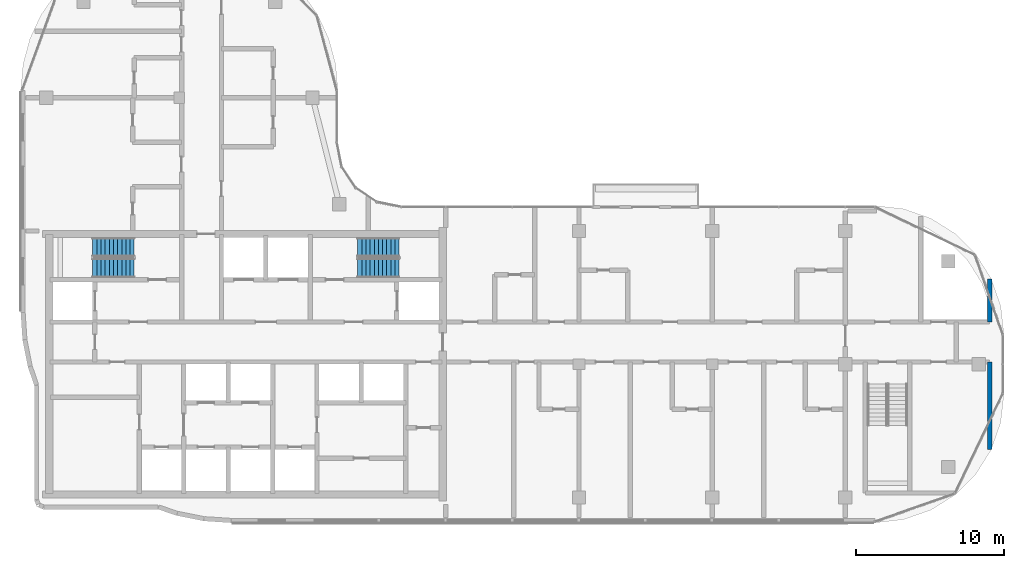
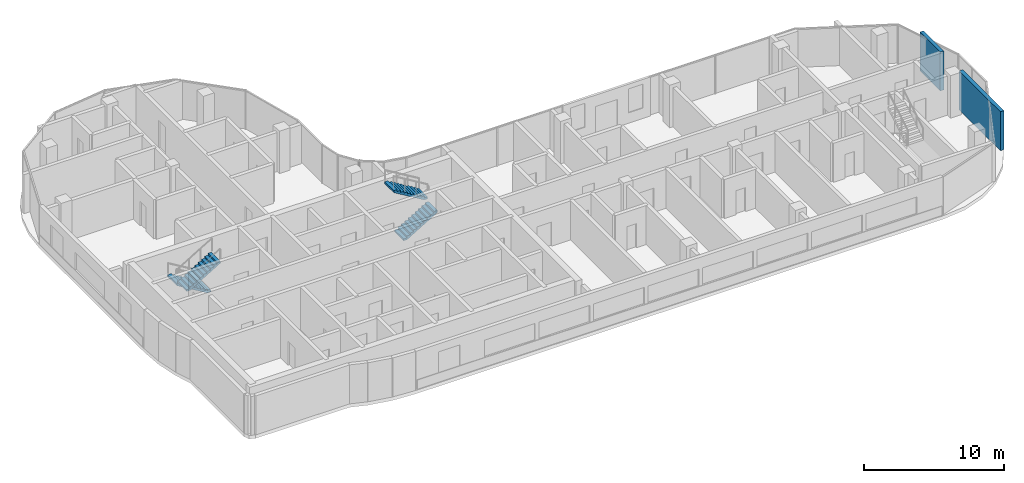
# One storey, part 14 of 19: 4 stair flights, 2 walls, 2 elements without a shape of their own.
"""IFC4 building model written with IfcOpenShell, lengths in metres."""

from ifc_helpers import new_model, si_unit, direction, frame, frame_2d, origin, place, context, subcontext, project, spatial, rectangle, extrude, triangles, source, transform, mapped, material, layer, layer_set, type_object, element, aggregate, save


model = new_model("IFC4")

# Units and contexts
model_context = context("Model", 3, precision=1e-05, world=origin(), true_north=direction((0.0, 1.0)))
body_context = subcontext(model_context, "Body", "Model", "MODEL_VIEW")
ifc_project = project(units=[si_unit("LENGTHUNIT", "METRE"), si_unit("AREAUNIT", "SQUARE_METRE"), si_unit("VOLUMEUNIT", "CUBIC_METRE"), si_unit("PLANEANGLEUNIT", "RADIAN"), si_unit("MASSUNIT", "GRAM", prefix="KILO")], contexts=[model_context])

# Site, building, storey
site_placement = place(None, origin())
site = spatial("IfcSite", under=ifc_project, at=site_placement, CompositionType="ELEMENT")
building_placement = place(site_placement, origin())
building = spatial("IfcBuilding", under=site, at=building_placement, Name="Ogive Portal Towers", CompositionType="ELEMENT")
storey_placement = place(building_placement, frame((0.0, 0.0, 199.5)))
storey = spatial("IfcBuildingStorey", under=building, at=storey_placement, Name="L49", CompositionType="ELEMENT", Elevation=199.5)

# Walls
ifc_material_1 = material(Name="Gypsum board partition on steel studs", Category="steel")
ifc_layer = layer(ifc_material_1, 0.300048828125)
ifc_layer_set = layer_set([ifc_layer], Name="WT-PART-300-EI 60")
wall_type = type_object("IfcWallType", Name="WT-PART-300-EI 60", PredefinedType="PARTITIONING", material=ifc_layer_set)
wall_1_placement = place(storey_placement, frame((95.25, 24.75390625, 0.0), z_axis=(0.0, 0.0, 1.0), x_axis=(0.0, 1.0, 0.0)))
element("IfcWall", 1, at=wall_1_placement, inside=storey, type_object=wall_type, Name="Wall L49:w054", PredefinedType="PARTITIONING", context=body_context, shape_type="SweptSolid", body=[
    extrude(rectangle(XDim=5.89599609375, YDim=0.300048828125, at=frame_2d((2.947998046875, 0.0))), origin(), (0.0, 0.0, 1.0), 3.39990234375),
])
wall_2_placement = place(storey_placement, frame((95.25, 33.35009765625, 0.0), z_axis=(0.0, 0.0, 1.0), x_axis=(0.0, 1.0, 0.0)))
element("IfcWall", 2, at=wall_2_placement, inside=storey, type_object=wall_type, Name="Wall L49:w055", PredefinedType="PARTITIONING", context=body_context, shape_type="SweptSolid", body=[
    extrude(rectangle(XDim=2.89599609375, YDim=0.300048828125, at=frame_2d((1.447998046875, 0.0))), origin(), (0.0, 0.0, 1.0), 3.39990234375),
])

# Stair, stair flights
ifc_material_2 = material(Name="Concrete C40/50", Category="concrete")
stair_type = type_object("IfcStairType", Name="INT-STAIR", PredefinedType="HALF_TURN_STAIR", material=ifc_material_2)
stair_1_placement = place(storey_placement, origin())
stair_1 = element("IfcStair", 3, at=stair_1_placement, inside=storey, type_object=stair_type, Name="L49 Exit Stair ST-A1", PredefinedType="HALF_TURN_STAIR")
stair_flight_type = type_object("IfcStairFlightType", Name="INT-FLIGHT", PredefinedType="STRAIGHT", material=ifc_material_2)
shared_shape = source(origin(), body_context, "Body", "Tessellation", [
    triangles([(0.0, -0.650146484375, 0.0), (0.0, -0.376220703125, 0.0), (0.0, -0.192626953125, 0.0), (0.0, -0.081298828125, 0.0), (0.0, -0.024169921875, 0.0), (0.0, -0.003173828125, 0.0), (0.0, 0.0, 0.0), (0.0, 0.0029296875, 0.0), (0.0, 0.02392578125, 0.0), (0.0, 0.0810546875, 0.0), (0.0, 0.1923828125, 0.0), (0.0, 0.3759765625, 0.0), (0.0, 0.64990234375, 0.0), (0.0, -0.650146484375, 0.168212890625), (0.0, -0.376220703125, 0.168212890625), (0.0, -0.192626953125, 0.168212890625), (0.0, -0.081298828125, 0.168212890625), (0.0, -0.024169921875, 0.168212890625), (0.0, -0.003173828125, 0.168212890625), (0.0, 0.0, 0.168212890625), (0.0, 0.0029296875, 0.168212890625), (0.0, 0.02392578125, 0.168212890625), (0.0, 0.0810546875, 0.168212890625), (0.0, 0.1923828125, 0.168212890625), (0.0, 0.3759765625, 0.168212890625), (0.0, 0.64990234375, 0.168212890625), (0.280029296875, -0.650146484375, 0.168212890625), (0.280029296875, -0.376220703125, 0.168212890625), (0.280029296875, -0.192626953125, 0.168212890625), (0.280029296875, -0.081298828125, 0.168212890625), (0.280029296875, -0.024169921875, 0.168212890625), (0.280029296875, -0.003173828125, 0.168212890625), (0.280029296875, 0.0, 0.168212890625), (0.280029296875, 0.0029296875, 0.168212890625), (0.280029296875, 0.02392578125, 0.168212890625), (0.280029296875, 0.0810546875, 0.168212890625), (0.280029296875, 0.1923828125, 0.168212890625), (0.280029296875, 0.3759765625, 0.168212890625), (0.280029296875, 0.64990234375, 0.168212890625), (0.280029296875, -0.650146484375, 0.33642578125), (0.280029296875, -0.376220703125, 0.33642578125), (0.280029296875, -0.192626953125, 0.33642578125), (0.280029296875, -0.081298828125, 0.33642578125), (0.280029296875, -0.024169921875, 0.33642578125), (0.280029296875, -0.003173828125, 0.33642578125), (0.280029296875, 0.0, 0.33642578125), (0.280029296875, 0.0029296875, 0.33642578125), (0.280029296875, 0.02392578125, 0.33642578125), (0.280029296875, 0.0810546875, 0.33642578125), (0.280029296875, 0.1923828125, 0.33642578125), (0.280029296875, 0.3759765625, 0.33642578125), (0.280029296875, 0.64990234375, 0.33642578125), (0.56005859375, -0.650146484375, 0.33642578125), (0.56005859375, -0.376220703125, 0.33642578125), (0.56005859375, -0.192626953125, 0.33642578125), (0.56005859375, -0.081298828125, 0.33642578125), (0.56005859375, -0.024169921875, 0.33642578125), (0.56005859375, -0.003173828125, 0.33642578125), (0.56005859375, 0.0, 0.33642578125), (0.56005859375, 0.0029296875, 0.33642578125), (0.56005859375, 0.02392578125, 0.33642578125), (0.56005859375, 0.0810546875, 0.33642578125), (0.56005859375, 0.1923828125, 0.33642578125), (0.56005859375, 0.3759765625, 0.33642578125), (0.56005859375, 0.64990234375, 0.33642578125), (0.56005859375, -0.650146484375, 0.504638671875), (0.56005859375, -0.376220703125, 0.504638671875), (0.56005859375, -0.192626953125, 0.504638671875), (0.56005859375, -0.081298828125, 0.504638671875), (0.56005859375, -0.024169921875, 0.504638671875), (0.56005859375, -0.003173828125, 0.504638671875), (0.56005859375, 0.0, 0.504638671875), (0.56005859375, 0.0029296875, 0.504638671875), (0.56005859375, 0.02392578125, 0.504638671875), (0.56005859375, 0.0810546875, 0.504638671875), (0.56005859375, 0.1923828125, 0.504638671875), (0.56005859375, 0.3759765625, 0.504638671875), (0.56005859375, 0.64990234375, 0.504638671875), (0.840087890625, -0.650146484375, 0.504638671875), (0.840087890625, -0.376220703125, 0.504638671875), (0.840087890625, -0.192626953125, 0.504638671875), (0.840087890625, -0.081298828125, 0.504638671875), (0.840087890625, -0.024169921875, 0.504638671875), (0.840087890625, -0.003173828125, 0.504638671875), (0.840087890625, 0.0, 0.504638671875), (0.840087890625, 0.0029296875, 0.504638671875), (0.840087890625, 0.02392578125, 0.504638671875), (0.840087890625, 0.0810546875, 0.504638671875), (0.840087890625, 0.1923828125, 0.504638671875), (0.840087890625, 0.3759765625, 0.504638671875), (0.840087890625, 0.64990234375, 0.504638671875), (0.840087890625, -0.650146484375, 0.672607421875), (0.840087890625, -0.376220703125, 0.672607421875), (0.840087890625, -0.192626953125, 0.672607421875), (0.840087890625, -0.081298828125, 0.672607421875), (0.840087890625, -0.024169921875, 0.672607421875), (0.840087890625, -0.003173828125, 0.672607421875), (0.840087890625, 0.0, 0.672607421875), (0.840087890625, 0.0029296875, 0.672607421875), (0.840087890625, 0.02392578125, 0.672607421875), (0.840087890625, 0.0810546875, 0.672607421875), (0.840087890625, 0.1923828125, 0.672607421875), (0.840087890625, 0.3759765625, 0.672607421875), (0.840087890625, 0.64990234375, 0.672607421875), (1.1201171875, -0.650146484375, 0.672607421875), (1.1201171875, -0.376220703125, 0.672607421875), (1.1201171875, -0.192626953125, 0.672607421875), (1.1201171875, -0.081298828125, 0.672607421875), (1.1201171875, -0.024169921875, 0.672607421875), (1.1201171875, -0.003173828125, 0.672607421875), (1.1201171875, 0.0, 0.672607421875), (1.1201171875, 0.0029296875, 0.672607421875), (1.1201171875, 0.02392578125, 0.672607421875), (1.1201171875, 0.0810546875, 0.672607421875), (1.1201171875, 0.1923828125, 0.672607421875), (1.1201171875, 0.3759765625, 0.672607421875), (1.1201171875, 0.64990234375, 0.672607421875), (1.1201171875, -0.650146484375, 0.8408203125), (1.1201171875, -0.376220703125, 0.8408203125), (1.1201171875, -0.192626953125, 0.8408203125), (1.1201171875, -0.081298828125, 0.8408203125), (1.1201171875, -0.024169921875, 0.8408203125), (1.1201171875, -0.003173828125, 0.8408203125), (1.1201171875, 0.0, 0.8408203125), (1.1201171875, 0.0029296875, 0.8408203125), (1.1201171875, 0.02392578125, 0.8408203125), (1.1201171875, 0.0810546875, 0.8408203125), (1.1201171875, 0.1923828125, 0.8408203125), (1.1201171875, 0.3759765625, 0.8408203125), (1.1201171875, 0.64990234375, 0.8408203125), (1.39990234375, -0.650146484375, 0.8408203125), (1.39990234375, -0.376220703125, 0.8408203125), (1.39990234375, -0.192626953125, 0.8408203125), (1.39990234375, -0.081298828125, 0.8408203125), (1.39990234375, -0.024169921875, 0.8408203125), (1.39990234375, -0.003173828125, 0.8408203125), (1.39990234375, 0.0, 0.8408203125), (1.39990234375, 0.0029296875, 0.8408203125), (1.39990234375, 0.02392578125, 0.8408203125), (1.39990234375, 0.0810546875, 0.8408203125), (1.39990234375, 0.1923828125, 0.8408203125), (1.39990234375, 0.3759765625, 0.8408203125), (1.39990234375, 0.64990234375, 0.8408203125), (1.39990234375, -0.650146484375, 1.009033203125), (1.39990234375, -0.376220703125, 1.009033203125), (1.39990234375, -0.192626953125, 1.009033203125), (1.39990234375, -0.081298828125, 1.009033203125), (1.39990234375, -0.024169921875, 1.009033203125), (1.39990234375, -0.003173828125, 1.009033203125), (1.39990234375, 0.0, 1.009033203125), (1.39990234375, 0.0029296875, 1.009033203125), (1.39990234375, 0.02392578125, 1.009033203125), (1.39990234375, 0.0810546875, 1.009033203125), (1.39990234375, 0.1923828125, 1.009033203125), (1.39990234375, 0.3759765625, 1.009033203125), (1.39990234375, 0.64990234375, 1.009033203125), (1.679931640625, -0.650146484375, 1.009033203125), (1.679931640625, -0.376220703125, 1.009033203125), (1.679931640625, -0.192626953125, 1.009033203125), (1.679931640625, -0.081298828125, 1.009033203125), (1.679931640625, -0.024169921875, 1.009033203125), (1.679931640625, -0.003173828125, 1.009033203125), (1.679931640625, 0.0, 1.009033203125), (1.679931640625, 0.0029296875, 1.009033203125), (1.679931640625, 0.02392578125, 1.009033203125), (1.679931640625, 0.0810546875, 1.009033203125), (1.679931640625, 0.1923828125, 1.009033203125), (1.679931640625, 0.3759765625, 1.009033203125), (1.679931640625, 0.64990234375, 1.009033203125), (1.679931640625, -0.650146484375, 1.17724609375), (1.679931640625, -0.376220703125, 1.17724609375), (1.679931640625, -0.192626953125, 1.17724609375), (1.679931640625, -0.081298828125, 1.17724609375), (1.679931640625, -0.024169921875, 1.17724609375), (1.679931640625, -0.003173828125, 1.17724609375), (1.679931640625, 0.0, 1.17724609375), (1.679931640625, 0.0029296875, 1.17724609375), (1.679931640625, 0.02392578125, 1.17724609375), (1.679931640625, 0.0810546875, 1.17724609375), (1.679931640625, 0.1923828125, 1.17724609375), (1.679931640625, 0.3759765625, 1.17724609375), (1.679931640625, 0.64990234375, 1.17724609375), (1.9599609375, -0.650146484375, 1.17724609375), (1.9599609375, -0.376220703125, 1.17724609375), (1.9599609375, -0.192626953125, 1.17724609375), (1.9599609375, -0.081298828125, 1.17724609375), (1.9599609375, -0.024169921875, 1.17724609375), (1.9599609375, -0.003173828125, 1.17724609375), (1.9599609375, 0.0, 1.17724609375), (1.9599609375, 0.0029296875, 1.17724609375), (1.9599609375, 0.02392578125, 1.17724609375), (1.9599609375, 0.0810546875, 1.17724609375), (1.9599609375, 0.1923828125, 1.17724609375), (1.9599609375, 0.3759765625, 1.17724609375), (1.9599609375, 0.64990234375, 1.17724609375), (1.9599609375, -0.650146484375, 1.345458984375), (1.9599609375, -0.376220703125, 1.345458984375), (1.9599609375, -0.192626953125, 1.345458984375), (1.9599609375, -0.081298828125, 1.345458984375), (1.9599609375, -0.024169921875, 1.345458984375), (1.9599609375, -0.003173828125, 1.345458984375), (1.9599609375, 0.0, 1.345458984375), (1.9599609375, 0.0029296875, 1.345458984375), (1.9599609375, 0.02392578125, 1.345458984375), (1.9599609375, 0.0810546875, 1.345458984375), (1.9599609375, 0.1923828125, 1.345458984375), (1.9599609375, 0.3759765625, 1.345458984375), (1.9599609375, 0.64990234375, 1.345458984375), (2.239990234375, -0.650146484375, 1.345458984375), (2.239990234375, -0.376220703125, 1.345458984375), (2.239990234375, -0.192626953125, 1.345458984375), (2.239990234375, -0.081298828125, 1.345458984375), (2.239990234375, -0.024169921875, 1.345458984375), (2.239990234375, -0.003173828125, 1.345458984375), (2.239990234375, 0.0, 1.345458984375), (2.239990234375, 0.0029296875, 1.345458984375), (2.239990234375, 0.02392578125, 1.345458984375), (2.239990234375, 0.0810546875, 1.345458984375), (2.239990234375, 0.1923828125, 1.345458984375), (2.239990234375, 0.3759765625, 1.345458984375), (2.239990234375, 0.64990234375, 1.345458984375), (2.239990234375, -0.650146484375, 1.513671875), (2.239990234375, -0.376220703125, 1.513671875), (2.239990234375, -0.192626953125, 1.513671875), (2.239990234375, -0.081298828125, 1.513671875), (2.239990234375, -0.024169921875, 1.513671875), (2.239990234375, -0.003173828125, 1.513671875), (2.239990234375, 0.0, 1.513671875), (2.239990234375, 0.0029296875, 1.513671875), (2.239990234375, 0.02392578125, 1.513671875), (2.239990234375, 0.0810546875, 1.513671875), (2.239990234375, 0.1923828125, 1.513671875), (2.239990234375, 0.3759765625, 1.513671875), (2.239990234375, 0.64990234375, 1.513671875), (2.52001953125, -0.650146484375, 1.513671875), (2.52001953125, -0.376220703125, 1.513671875), (2.52001953125, -0.192626953125, 1.513671875), (2.52001953125, -0.081298828125, 1.513671875), (2.52001953125, -0.024169921875, 1.513671875), (2.52001953125, -0.003173828125, 1.513671875), (2.52001953125, 0.0, 1.513671875), (2.52001953125, 0.0029296875, 1.513671875), (2.52001953125, 0.02392578125, 1.513671875), (2.52001953125, 0.0810546875, 1.513671875), (2.52001953125, 0.1923828125, 1.513671875), (2.52001953125, 0.3759765625, 1.513671875), (2.52001953125, 0.64990234375, 1.513671875), (2.52001953125, -0.650146484375, 1.681884765625), (2.52001953125, -0.376220703125, 1.681884765625), (2.52001953125, -0.192626953125, 1.681884765625), (2.52001953125, -0.081298828125, 1.681884765625), (2.52001953125, -0.024169921875, 1.681884765625), (2.52001953125, -0.003173828125, 1.681884765625), (2.52001953125, 0.0, 1.681884765625), (2.52001953125, 0.0029296875, 1.681884765625), (2.52001953125, 0.02392578125, 1.681884765625), (2.52001953125, 0.0810546875, 1.681884765625), (2.52001953125, 0.1923828125, 1.681884765625), (2.52001953125, 0.3759765625, 1.681884765625), (2.52001953125, 0.64990234375, 1.681884765625), (2.800048828125, -0.650146484375, 1.681884765625), (2.800048828125, -0.376220703125, 1.681884765625), (2.800048828125, -0.192626953125, 1.681884765625), (2.800048828125, -0.081298828125, 1.681884765625), (2.800048828125, -0.024169921875, 1.681884765625), (2.800048828125, -0.003173828125, 1.681884765625), (2.800048828125, 0.0, 1.681884765625), (2.800048828125, 0.0029296875, 1.681884765625), (2.800048828125, 0.02392578125, 1.681884765625), (2.800048828125, 0.0810546875, 1.681884765625), (2.800048828125, 0.1923828125, 1.681884765625), (2.800048828125, 0.3759765625, 1.681884765625), (2.800048828125, 0.64990234375, 1.681884765625), (2.800048828125, -0.650146484375, 1.5068359375), (2.800048828125, -0.376220703125, 1.5068359375), (2.800048828125, -0.192626953125, 1.5068359375), (2.800048828125, -0.081298828125, 1.5068359375), (2.800048828125, -0.024169921875, 1.5068359375), (2.800048828125, -0.003173828125, 1.5068359375), (2.800048828125, 0.0, 1.5068359375), (2.800048828125, 0.0029296875, 1.5068359375), (2.800048828125, 0.02392578125, 1.5068359375), (2.800048828125, 0.0810546875, 1.5068359375), (2.800048828125, 0.1923828125, 1.5068359375), (2.800048828125, 0.3759765625, 1.5068359375), (2.800048828125, 0.64990234375, 1.5068359375), (0.291015625, -0.650146484375, 0.0), (0.291015625, -0.376220703125, 0.0), (0.291015625, -0.192626953125, 0.0), (0.291015625, -0.081298828125, 0.0), (0.291015625, -0.024169921875, 0.0), (0.291015625, -0.003173828125, 0.0), (0.291015625, 0.0, 0.0), (0.291015625, 0.0029296875, 0.0), (0.291015625, 0.02392578125, 0.0), (0.291015625, 0.0810546875, 0.0), (0.291015625, 0.1923828125, 0.0), (0.291015625, 0.3759765625, 0.0), (0.291015625, 0.64990234375, 0.0)], [[1, 14, 15], [1, 15, 2], [2, 15, 16], [2, 16, 3], [3, 16, 17], [3, 17, 4], [4, 17, 18], [4, 18, 5], [5, 18, 19], [5, 19, 6], [6, 19, 20], [6, 20, 7], [7, 20, 21], [7, 21, 8], [8, 21, 22], [8, 22, 9], [9, 22, 23], [9, 23, 10], [10, 23, 24], [10, 24, 11], [11, 24, 25], [11, 25, 12], [12, 25, 26], [12, 26, 13], [14, 27, 28], [14, 28, 15], [15, 28, 29], [15, 29, 16], [16, 29, 30], [16, 30, 17], [17, 30, 31], [17, 31, 18], [18, 31, 32], [18, 32, 19], [19, 32, 33], [19, 33, 20], [20, 33, 34], [20, 34, 21], [21, 34, 35], [21, 35, 22], [22, 35, 36], [22, 36, 23], [23, 36, 37], [23, 37, 24], [24, 37, 38], [24, 38, 25], [25, 38, 39], [25, 39, 26], [27, 40, 41], [27, 41, 28], [28, 41, 42], [28, 42, 29], [29, 42, 43], [29, 43, 30], [30, 43, 44], [30, 44, 31], [31, 44, 45], [31, 45, 32], [32, 45, 46], [32, 46, 33], [33, 46, 47], [33, 47, 34], [34, 47, 48], [34, 48, 35], [35, 48, 49], [35, 49, 36], [36, 49, 50], [36, 50, 37], [37, 50, 51], [37, 51, 38], [38, 51, 52], [38, 52, 39], [40, 53, 54], [40, 54, 41], [41, 54, 55], [41, 55, 42], [42, 55, 56], [42, 56, 43], [43, 56, 57], [43, 57, 44], [44, 57, 58], [44, 58, 45], [45, 58, 59], [45, 59, 46], [46, 59, 60], [46, 60, 47], [47, 60, 61], [47, 61, 48], [48, 61, 62], [48, 62, 49], [49, 62, 63], [49, 63, 50], [50, 63, 64], [50, 64, 51], [51, 64, 65], [51, 65, 52], [53, 66, 67], [53, 67, 54], [54, 67, 68], [54, 68, 55], [55, 68, 69], [55, 69, 56], [56, 69, 70], [56, 70, 57], [57, 70, 71], [57, 71, 58], [58, 71, 72], [58, 72, 59], [59, 72, 73], [59, 73, 60], [60, 73, 74], [60, 74, 61], [61, 74, 75], [61, 75, 62], [62, 75, 76], [62, 76, 63], [63, 76, 77], [63, 77, 64], [64, 77, 78], [64, 78, 65], [66, 79, 80], [66, 80, 67], [67, 80, 81], [67, 81, 68], [68, 81, 82], [68, 82, 69], [69, 82, 83], [69, 83, 70], [70, 83, 84], [70, 84, 71], [71, 84, 85], [71, 85, 72], [72, 85, 86], [72, 86, 73], [73, 86, 87], [73, 87, 74], [74, 87, 88], [74, 88, 75], [75, 88, 89], [75, 89, 76], [76, 89, 90], [76, 90, 77], [77, 90, 91], [77, 91, 78], [79, 92, 93], [79, 93, 80], [80, 93, 94], [80, 94, 81], [81, 94, 95], [81, 95, 82], [82, 95, 96], [82, 96, 83], [83, 96, 97], [83, 97, 84], [84, 97, 98], [84, 98, 85], [85, 98, 99], [85, 99, 86], [86, 99, 100], [86, 100, 87], [87, 100, 101], [87, 101, 88], [88, 101, 102], [88, 102, 89], [89, 102, 103], [89, 103, 90], [90, 103, 104], [90, 104, 91], [92, 105, 106], [92, 106, 93], [93, 106, 107], [93, 107, 94], [94, 107, 108], [94, 108, 95], [95, 108, 109], [95, 109, 96], [96, 109, 110], [96, 110, 97], [97, 110, 111], [97, 111, 98], [98, 111, 112], [98, 112, 99], [99, 112, 113], [99, 113, 100], [100, 113, 114], [100, 114, 101], [101, 114, 115], [101, 115, 102], [102, 115, 116], [102, 116, 103], [103, 116, 117], [103, 117, 104], [105, 118, 119], [105, 119, 106], [106, 119, 120], [106, 120, 107], [107, 120, 121], [107, 121, 108], [108, 121, 122], [108, 122, 109], [109, 122, 123], [109, 123, 110], [110, 123, 124], [110, 124, 111], [111, 124, 125], [111, 125, 112], [112, 125, 126], [112, 126, 113], [113, 126, 127], [113, 127, 114], [114, 127, 128], [114, 128, 115], [115, 128, 129], [115, 129, 116], [116, 129, 130], [116, 130, 117], [118, 131, 132], [118, 132, 119], [119, 132, 133], [119, 133, 120], [120, 133, 134], [120, 134, 121], [121, 134, 135], [121, 135, 122], [122, 135, 136], [122, 136, 123], [123, 136, 137], [123, 137, 124], [124, 137, 138], [124, 138, 125], [125, 138, 139], [125, 139, 126], [126, 139, 140], [126, 140, 127], [127, 140, 141], [127, 141, 128], [128, 141, 142], [128, 142, 129], [129, 142, 143], [129, 143, 130], [131, 144, 145], [131, 145, 132], [132, 145, 146], [132, 146, 133], [133, 146, 147], [133, 147, 134], [134, 147, 148], [134, 148, 135], [135, 148, 149], [135, 149, 136], [136, 149, 150], [136, 150, 137], [137, 150, 151], [137, 151, 138], [138, 151, 152], [138, 152, 139], [139, 152, 153], [139, 153, 140], [140, 153, 154], [140, 154, 141], [141, 154, 155], [141, 155, 142], [142, 155, 156], [142, 156, 143], [144, 157, 158], [144, 158, 145], [145, 158, 159], [145, 159, 146], [146, 159, 160], [146, 160, 147], [147, 160, 161], [147, 161, 148], [148, 161, 162], [148, 162, 149], [149, 162, 163], [149, 163, 150], [150, 163, 164], [150, 164, 151], [151, 164, 165], [151, 165, 152], [152, 165, 166], [152, 166, 153], [153, 166, 167], [153, 167, 154], [154, 167, 168], [154, 168, 155], [155, 168, 169], [155, 169, 156], [157, 170, 171], [157, 171, 158], [158, 171, 172], [158, 172, 159], [159, 172, 173], [159, 173, 160], [160, 173, 174], [160, 174, 161], [161, 174, 175], [161, 175, 162], [162, 175, 176], [162, 176, 163], [163, 176, 177], [163, 177, 164], [164, 177, 178], [164, 178, 165], [165, 178, 179], [165, 179, 166], [166, 179, 180], [166, 180, 167], [167, 180, 181], [167, 181, 168], [168, 181, 182], [168, 182, 169], [170, 183, 184], [170, 184, 171], [171, 184, 185], [171, 185, 172], [172, 185, 186], [172, 186, 173], [173, 186, 187], [173, 187, 174], [174, 187, 188], [174, 188, 175], [175, 188, 189], [175, 189, 176], [176, 189, 190], [176, 190, 177], [177, 190, 191], [177, 191, 178], [178, 191, 192], [178, 192, 179], [179, 192, 193], [179, 193, 180], [180, 193, 194], [180, 194, 181], [181, 194, 195], [181, 195, 182], [183, 196, 197], [183, 197, 184], [184, 197, 198], [184, 198, 185], [185, 198, 199], [185, 199, 186], [186, 199, 200], [186, 200, 187], [187, 200, 201], [187, 201, 188], [188, 201, 202], [188, 202, 189], [189, 202, 203], [189, 203, 190], [190, 203, 204], [190, 204, 191], [191, 204, 205], [191, 205, 192], [192, 205, 206], [192, 206, 193], [193, 206, 207], [193, 207, 194], [194, 207, 208], [194, 208, 195], [196, 209, 210], [196, 210, 197], [197, 210, 211], [197, 211, 198], [198, 211, 212], [198, 212, 199], [199, 212, 213], [199, 213, 200], [200, 213, 214], [200, 214, 201], [201, 214, 215], [201, 215, 202], [202, 215, 216], [202, 216, 203], [203, 216, 217], [203, 217, 204], [204, 217, 218], [204, 218, 205], [205, 218, 219], [205, 219, 206], [206, 219, 220], [206, 220, 207], [207, 220, 221], [207, 221, 208], [209, 222, 223], [209, 223, 210], [210, 223, 224], [210, 224, 211], [211, 224, 225], [211, 225, 212], [212, 225, 226], [212, 226, 213], [213, 226, 227], [213, 227, 214], [214, 227, 228], [214, 228, 215], [215, 228, 229], [215, 229, 216], [216, 229, 230], [216, 230, 217], [217, 230, 231], [217, 231, 218], [218, 231, 232], [218, 232, 219], [219, 232, 233], [219, 233, 220], [220, 233, 234], [220, 234, 221], [222, 235, 236], [222, 236, 223], [223, 236, 237], [223, 237, 224], [224, 237, 238], [224, 238, 225], [225, 238, 239], [225, 239, 226], [226, 239, 240], [226, 240, 227], [227, 240, 241], [227, 241, 228], [228, 241, 242], [228, 242, 229], [229, 242, 243], [229, 243, 230], [230, 243, 244], [230, 244, 231], [231, 244, 245], [231, 245, 232], [232, 245, 246], [232, 246, 233], [233, 246, 247], [233, 247, 234], [235, 248, 249], [235, 249, 236], [236, 249, 250], [236, 250, 237], [237, 250, 251], [237, 251, 238], [238, 251, 252], [238, 252, 239], [239, 252, 253], [239, 253, 240], [240, 253, 254], [240, 254, 241], [241, 254, 255], [241, 255, 242], [242, 255, 256], [242, 256, 243], [243, 256, 257], [243, 257, 244], [244, 257, 258], [244, 258, 245], [245, 258, 259], [245, 259, 246], [246, 259, 260], [246, 260, 247], [248, 261, 262], [248, 262, 249], [249, 262, 263], [249, 263, 250], [250, 263, 264], [250, 264, 251], [251, 264, 265], [251, 265, 252], [252, 265, 266], [252, 266, 253], [253, 266, 267], [253, 267, 254], [254, 267, 268], [254, 268, 255], [255, 268, 269], [255, 269, 256], [256, 269, 270], [256, 270, 257], [257, 270, 271], [257, 271, 258], [258, 271, 272], [258, 272, 259], [259, 272, 273], [259, 273, 260], [261, 274, 275], [261, 275, 262], [262, 275, 276], [262, 276, 263], [263, 276, 277], [263, 277, 264], [264, 277, 278], [264, 278, 265], [265, 278, 279], [265, 279, 266], [266, 279, 280], [266, 280, 267], [267, 280, 281], [267, 281, 268], [268, 281, 282], [268, 282, 269], [269, 282, 283], [269, 283, 270], [270, 283, 284], [270, 284, 271], [271, 284, 285], [271, 285, 272], [272, 285, 286], [272, 286, 273], [274, 287, 288], [274, 288, 275], [275, 288, 289], [275, 289, 276], [276, 289, 290], [276, 290, 277], [277, 290, 291], [277, 291, 278], [278, 291, 292], [278, 292, 279], [279, 292, 293], [279, 293, 280], [280, 293, 294], [280, 294, 281], [281, 294, 295], [281, 295, 282], [282, 295, 296], [282, 296, 283], [283, 296, 297], [283, 297, 284], [284, 297, 298], [284, 298, 285], [285, 298, 299], [285, 299, 286], [287, 1, 2], [287, 2, 288], [288, 2, 3], [288, 3, 289], [289, 3, 4], [289, 4, 290], [290, 4, 5], [290, 5, 291], [291, 5, 6], [291, 6, 292], [292, 6, 7], [292, 7, 293], [293, 7, 8], [293, 8, 294], [294, 8, 9], [294, 9, 295], [295, 9, 10], [295, 10, 296], [296, 10, 11], [296, 11, 297], [297, 11, 12], [297, 12, 298], [298, 12, 13], [298, 13, 299], [1, 287, 274], [13, 286, 299], [274, 261, 248], [286, 260, 273], [274, 248, 235], [286, 247, 260], [274, 235, 222], [286, 234, 247], [274, 222, 209], [286, 221, 234], [209, 196, 183], [221, 195, 208], [274, 209, 183], [286, 195, 221], [183, 170, 157], [195, 169, 182], [274, 183, 157], [286, 169, 195], [157, 144, 131], [169, 143, 156], [274, 157, 131], [286, 143, 169], [131, 118, 105], [143, 117, 130], [274, 131, 105], [286, 117, 143], [1, 274, 105], [13, 117, 286], [105, 92, 79], [117, 91, 104], [79, 66, 53], [91, 65, 78], [105, 79, 53], [117, 65, 91], [53, 40, 27], [65, 39, 52], [105, 53, 27], [117, 39, 65], [1, 105, 27], [13, 39, 117], [27, 14, 1], [39, 13, 26]], closed=True),
])
stair_flight_1_placement = place(storey_placement, frame((37.449951171875, 38.39990234375, 0.0), z_axis=(0.0, 0.0, 1.0), x_axis=(-1.0, 0.0, 0.0)))
stair_flight_1 = element("IfcStairFlight", 4, at=stair_flight_1_placement, type_object=stair_flight_type, Name="ST-A1 flight 1", NumberOfRisers=11, NumberOfTreads=10, PredefinedType="STRAIGHT", RiserHeight=0.168181818, TreadLength=0.28, context=body_context, shape_type="MappedRepresentation", body=[
    mapped(shared_shape, transform((0.0, 0.0, 0.0), scale=1.0)),
])
stair_flight_2_placement = place(storey_placement, frame((34.64990234375, 37.0, 1.85009765625), z_axis=(0.0, 0.0, 1.0), x_axis=(1.0, 0.0, 0.0)))
stair_flight_2 = element("IfcStairFlight", 5, at=stair_flight_2_placement, type_object=stair_flight_type, Name="ST-A1 flight 2", NumberOfRisers=11, NumberOfTreads=10, PredefinedType="STRAIGHT", RiserHeight=0.168181818, TreadLength=0.28, context=body_context, shape_type="MappedRepresentation", body=[
    mapped(shared_shape, transform((0.0, 0.0, 0.0), scale=1.0)),
])
aggregate(stair_1, [stair_flight_1, stair_flight_2])

stair_2_placement = place(storey_placement, origin())
stair_2 = element("IfcStair", 6, at=stair_2_placement, inside=storey, type_object=stair_type, Name="L49 Exit Stair ST-A2", PredefinedType="HALF_TURN_STAIR")
stair_flight_3_placement = place(storey_placement, frame((52.550048828125, 37.0, 0.0), z_axis=(0.0, 0.0, 1.0), x_axis=(1.0, 0.0, 0.0)))
stair_flight_3 = element("IfcStairFlight", 7, at=stair_flight_3_placement, type_object=stair_flight_type, Name="ST-A2 flight 1", NumberOfRisers=11, NumberOfTreads=10, PredefinedType="STRAIGHT", RiserHeight=0.168181818, TreadLength=0.28, context=body_context, shape_type="MappedRepresentation", body=[
    mapped(shared_shape, transform((0.0, 0.0, 0.0), scale=1.0)),
])
stair_flight_4_placement = place(storey_placement, frame((55.35009765625, 38.39990234375, 1.85009765625), z_axis=(0.0, 0.0, 1.0), x_axis=(-1.0, 0.0, 0.0)))
stair_flight_4 = element("IfcStairFlight", 8, at=stair_flight_4_placement, type_object=stair_flight_type, Name="ST-A2 flight 2", NumberOfRisers=11, NumberOfTreads=10, PredefinedType="STRAIGHT", RiserHeight=0.168181818, TreadLength=0.28, context=body_context, shape_type="MappedRepresentation", body=[
    mapped(shared_shape, transform((0.0, 0.0, 0.0), scale=1.0)),
])
aggregate(stair_2, [stair_flight_3, stair_flight_4])

save(model, "model.ifc")
